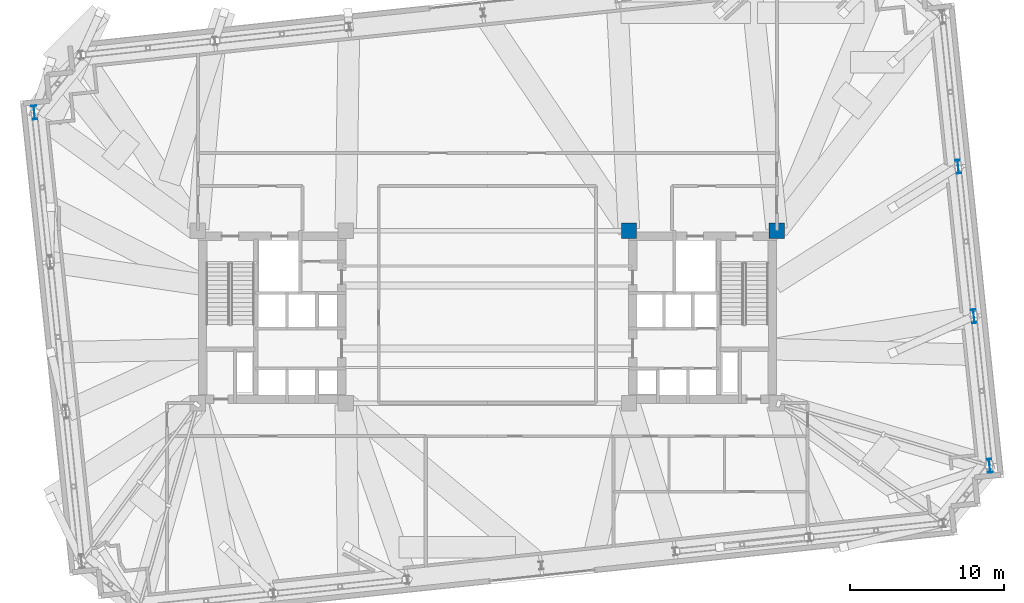
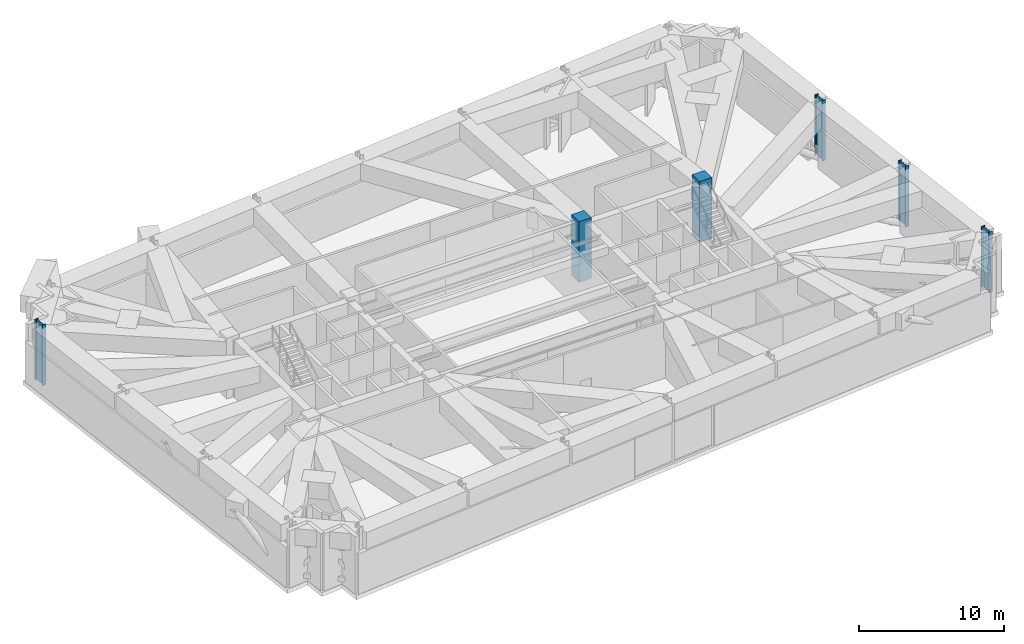
# One storey, part 2 of 23: 6 columns.
"""IFC4 building model written with IfcOpenShell, lengths in metres."""

from ifc_helpers import new_model, si_unit, direction, frame, origin, origin_2d, place, context, subcontext, project, spatial, rectangle, i_section, extrude, material, material_profile, profile_set, type_object, element, save


model = new_model("IFC4")

# Units and contexts
model_context = context("Model", 3, precision=1e-05, world=origin(), true_north=direction((0.0, 1.0)))
body_context = subcontext(model_context, "Body", "Model", "MODEL_VIEW")
ifc_project = project(units=[si_unit("LENGTHUNIT", "METRE"), si_unit("AREAUNIT", "SQUARE_METRE"), si_unit("VOLUMEUNIT", "CUBIC_METRE"), si_unit("PLANEANGLEUNIT", "RADIAN"), si_unit("MASSUNIT", "GRAM", prefix="KILO")], contexts=[model_context])

# Site, building, storey
site_placement = place(None, origin())
site = spatial("IfcSite", under=ifc_project, at=site_placement, CompositionType="ELEMENT")
building_placement = place(site_placement, origin())
building = spatial("IfcBuilding", under=site, at=building_placement, Name="Qobustan Lattice House", CompositionType="ELEMENT")
storey_placement = place(building_placement, frame((0.0, 0.0, 125.89990234375)))
storey = spatial("IfcBuildingStorey", under=building, at=storey_placement, Name="L35", CompositionType="ELEMENT", Elevation=125.89990234375)

# Columns
ifc_material_1 = material(Name="Concrete C60/75", Category="concrete")
ifc_material_profile_1 = material_profile(ifc_material_1, rectangle(XDim=1.0, YDim=1.0, at=origin_2d()), Name="RC1000x1000")
ifc_profile_set_1 = profile_set([ifc_material_profile_1], Name="Concrete C60/75")
column_type_1 = type_object("IfcColumnType", Name="COL-RC-1000", PredefinedType="COLUMN", material=ifc_profile_set_1)
for number, where, z_axis, x_axis, name in (
    (1, (9.199951171875, 5.60009765625, 0.0), (0.0, 0.0, 1.0), (1.0, 0.0, 0.0), "L35 core mega-column CE-NW"),
    (2, (18.800048828125, 5.60009765625, 0.0), (0.0, 0.0, 1.0), (1.0, 0.0, 0.0), "L35 core mega-column CE-NE"),
):
    element("IfcColumn", number, at=place(storey_placement, frame(where, z_axis=z_axis, x_axis=x_axis)), inside=storey, type_object=column_type_1, Name=name, PredefinedType="COLUMN", context=body_context, shape_type="SweptSolid", body=[
        extrude(rectangle(XDim=1.0, YDim=1.0, at=origin_2d()), origin(), (0.0, 0.0, 1.0), 5.10009765625),
    ])
ifc_material_2 = material(Name="Steel S355", Category="steel")
ifc_material_profile_2 = material_profile(ifc_material_2, i_section(OverallWidth=0.300048828125, OverallDepth=0.89990234375, WebThickness=0.0185546875, FlangeThickness=0.034912109375, FilletRadius=0.030029296875, at=origin_2d()), Name="HEB900")
ifc_profile_set_2 = profile_set([ifc_material_profile_2], Name="Steel S355")
column_type_2 = type_object("IfcColumnType", Name="COL-ST-HEB900", PredefinedType="COLUMN", material=ifc_profile_set_2)
for number, where, z_axis, x_axis, name in (
    (3, (32.618896484375, -9.67041015625, 0.0), (0.0, 0.0, 1.0), (0.994521895368, 0.104528463268, 0.0), "L35 B2 perimeter column E1"),
    (4, (31.597900390625, 0.042724609375, 0.0), (0.0, 0.0, 1.0), (0.994521895368, 0.104528463268, 0.0), "L35 B2 perimeter column E2"),
    (5, (30.5771484375, 9.755859375, 0.0), (0.0, 0.0, 1.0), (0.994521895368, 0.104528463268, 0.0), "L35 B2 perimeter column E3"),
    (6, (-29.4189453125, 13.2705078125, 0.0), (0.0, 0.0, 1.0), (0.994521895368, 0.104528463268, 0.0), "L35 B2 perimeter column W1"),
):
    element("IfcColumn", number, at=place(storey_placement, frame(where, z_axis=z_axis, x_axis=x_axis)), inside=storey, type_object=column_type_2, Name=name, PredefinedType="COLUMN", context=body_context, shape_type="SweptSolid", body=[
        extrude(i_section(OverallWidth=0.300048828125, OverallDepth=0.89990234375, WebThickness=0.0185546875, FlangeThickness=0.034912109375, FilletRadius=0.030029296875, at=origin_2d()), origin(), (0.0, 0.0, 1.0), 5.10009765625),
    ])

save(model, "model.ifc")
